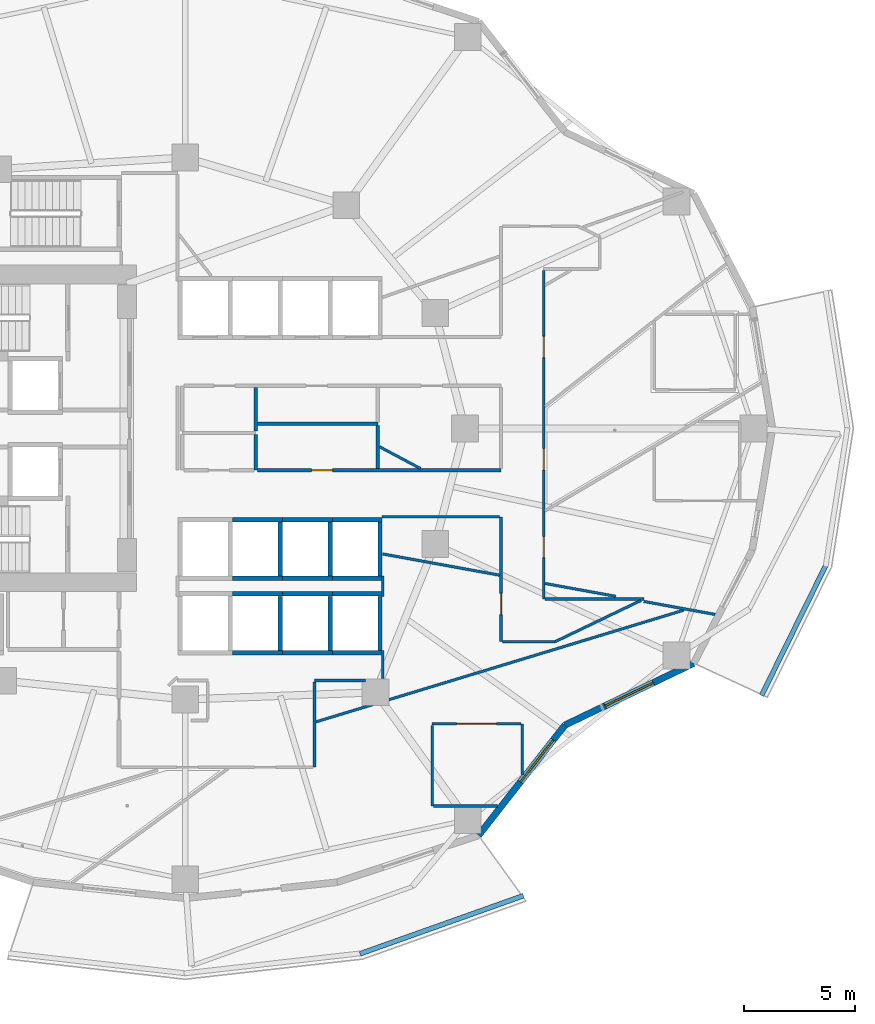
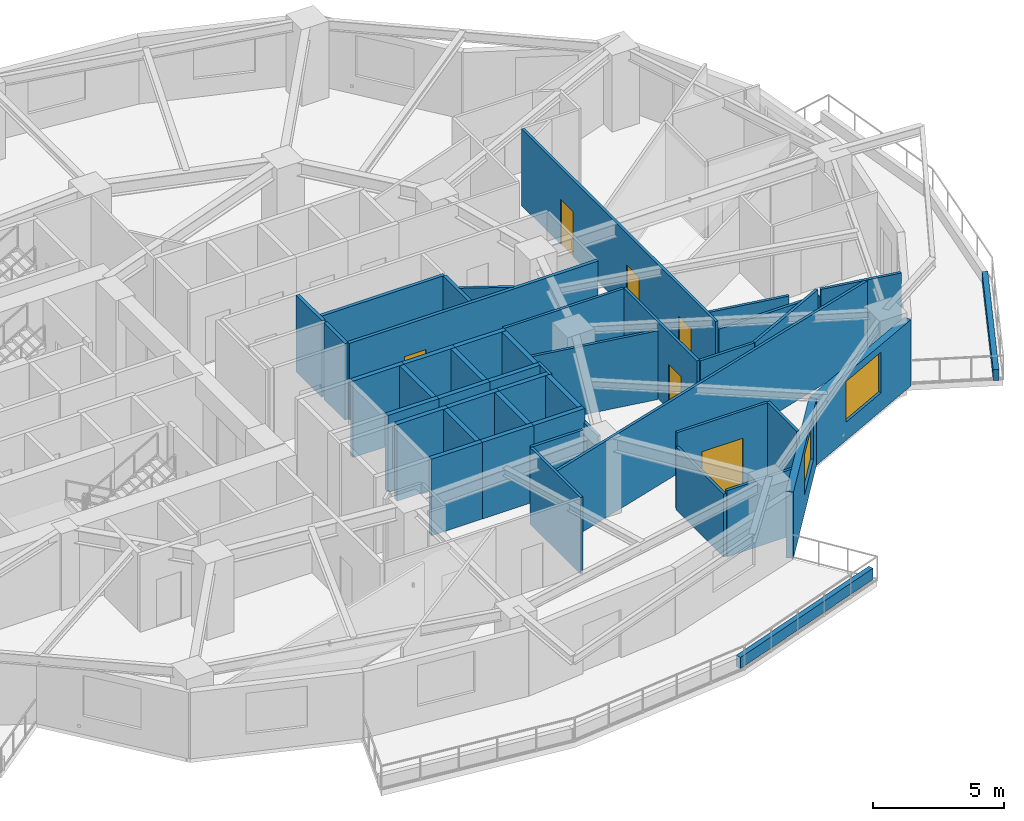
# One storey, part 5 of 16: 46 walls, 6 doors, 2 windows, 8 openings.
"""IFC4 building model written with IfcOpenShell, lengths in metres."""

from ifc_helpers import new_model, si_unit, direction, frame, frame_2d, origin, place, context, subcontext, project, spatial, rectangle, extrude, material, layer, layer_set, type_object, element, fill, save


model = new_model("IFC4")

# Units and contexts
model_context = context("Model", 3, precision=1e-05, world=origin(), true_north=direction((0.0, 1.0)))
body_context = subcontext(model_context, "Body", "Model", "MODEL_VIEW")
ifc_project = project(units=[si_unit("LENGTHUNIT", "METRE"), si_unit("AREAUNIT", "SQUARE_METRE"), si_unit("VOLUMEUNIT", "CUBIC_METRE"), si_unit("PLANEANGLEUNIT", "RADIAN"), si_unit("MASSUNIT", "GRAM", prefix="KILO")], contexts=[model_context])

# Site, building, storey
site_placement = place(None, origin())
site = spatial("IfcSite", under=ifc_project, at=site_placement, CompositionType="ELEMENT")
building_placement = place(site_placement, origin())
building = spatial("IfcBuilding", under=site, at=building_placement, Name="Kolvaren Gate Tower and Convention Centre", CompositionType="ELEMENT")
storey_placement = place(building_placement, frame((0.0, 0.0, 65.0)))
storey = spatial("IfcBuildingStorey", under=building, at=storey_placement, Name="L15", CompositionType="ELEMENT", Elevation=65.0)

# Walls
ifc_material_1 = material(Name="Fire-Rated Acoustic Gypsum Stud Partition", Category="gypsum")
ifc_layer_1 = layer(ifc_material_1, 0.1201171875)
ifc_layer_set_1 = layer_set([ifc_layer_1], Name="Fire-Rated Acoustic Gypsum Stud Partition")
wall_type_1 = type_object("IfcWallType", Name="ARCH-WL-PART-120", PredefinedType="PARTITIONING", material=ifc_layer_set_1)
wall_1_placement = place(storey_placement, frame((35.949951171875, 15.64990234375, 0.0), z_axis=(0.0, 0.0, 1.0), x_axis=(1.0, 0.0, 0.0)))
element("IfcWall", 1, at=wall_1_placement, inside=storey, type_object=wall_type_1, Name="Interior Partition WL-L15-INT-023", PredefinedType="PARTITIONING", context=body_context, shape_type="SweptSolid", body=[
    extrude(rectangle(XDim=2.291015625, YDim=0.1201171875, at=frame_2d((1.1455078125, 0.0))), origin(), (0.0, 0.0, 1.0), 3.570068359375),
])
wall_2_placement = place(storey_placement, frame((35.949951171875, 11.75, 0.0), z_axis=(0.0, 0.0, 1.0), x_axis=(0.0, 1.0, 0.0)))
element("IfcWall", 2, at=wall_2_placement, inside=storey, type_object=wall_type_1, Name="Interior Partition WL-L15-INT-024", PredefinedType="PARTITIONING", context=body_context, shape_type="SweptSolid", body=[
    extrude(rectangle(XDim=3.837890625, YDim=0.1201171875, at=frame_2d((1.9189453125, 0.0))), origin(), (0.0, 0.0, 1.0), 3.570068359375),
])

# Wall, opening, door
wall_3_placement = place(storey_placement, frame((44.35009765625, 17.39990234375, 0.0), z_axis=(0.0, 0.0, 1.0), x_axis=(0.0, 1.0, 0.0)))
wall_3 = element("IfcWall", 3, at=wall_3_placement, inside=storey, type_object=wall_type_1, Name="Interior Partition WL-L15-INT-032", PredefinedType="PARTITIONING", context=body_context, shape_type="SweptSolid", body=[
    extrude(rectangle(XDim=5.6201171875, YDim=0.1201171875, at=frame_2d((2.81005859375, 0.0))), origin(), (0.0, 0.0, 1.0), 3.570068359375),
])
opening_1_placement = place(wall_3_placement, frame((1.222900390625, 0.0, 0.0)))
opening_1 = element("IfcOpeningElement", 4, at=opening_1_placement, cuts=wall_3, Name="Opening DR-01", PredefinedType="OPENING", context=body_context, shape_type="SweptSolid", body=[
    extrude(rectangle(XDim=0.949951171875, YDim=2.10009765625, at=frame_2d((0.47509765625, 1.050048828125))), frame((0.0, 0.070068359375, 0.0), z_axis=(0.0, -1.0, 0.0), x_axis=(1.0, 0.0, 0.0)), (0.0, 0.0, 1.0), 0.14013671875),
])
ifc_material_2 = material(Name="Painted Architectural Steelwork ASTM A500 Grade C 345 MPa", Category="steel")
door_type_1 = type_object("IfcDoorType", Name="ARCH-DR-RISER-950", OperationType="SINGLE_SWING_RIGHT", PredefinedType="DOOR", material=ifc_material_2)
door_1_placement = place(opening_1_placement, origin())
door_1 = element("IfcDoor", 5, at=door_1_placement, inside=storey, type_object=door_type_1, Name="Associate Cellular Office Door", OperationType="SINGLE_SWING_LEFT", OverallHeight=2.10009765625, OverallWidth=0.949951171875, PredefinedType="DOOR", context=body_context, shape_type="SweptSolid", body=[
    extrude(rectangle(XDim=0.949951171875, YDim=2.10009765625, at=frame_2d((0.47509765625, 1.050048828125))), frame((0.0, 0.02490234375, 0.0), z_axis=(0.0, -1.0, 0.0), x_axis=(1.0, 0.0, 0.0)), (0.0, 0.0, 1.0), 0.050048828125),
])
fill(opening_1, door_1)

# Wall, openings, doors
wall_4_placement = place(storey_placement, frame((46.27001953125, 19.320068359375, 0.0), z_axis=(0.0, 0.0, 1.0), x_axis=(0.0, 1.0, 0.0)))
wall_4 = element("IfcWall", 6, at=wall_4_placement, inside=storey, type_object=wall_type_1, Name="Interior Partition WL-L15-INT-039", PredefinedType="PARTITIONING", context=body_context, shape_type="SweptSolid", body=[
    extrude(rectangle(XDim=14.7978515625, YDim=0.1201171875, at=frame_2d((7.39892578125, 0.0))), origin(), (0.0, 0.0, 1.0), 3.570068359375),
])
opening_2_placement = place(wall_4_placement, frame((1.864990234375, 0.0, 0.0)))
opening_2 = element("IfcOpeningElement", 7, at=opening_2_placement, cuts=wall_4, Name="Opening DR-01", PredefinedType="OPENING", context=body_context, shape_type="SweptSolid", body=[
    extrude(rectangle(XDim=0.949951171875, YDim=2.10009765625, at=frame_2d((0.47509765625, 1.050048828125))), frame((0.0, 0.070068359375, 0.0), z_axis=(0.0, -1.0, 0.0), x_axis=(1.0, 0.0, 0.0)), (0.0, 0.0, 1.0), 0.14013671875),
])
opening_3_placement = place(wall_4_placement, frame((5.817626953125, 0.0, 0.0)))
opening_3 = element("IfcOpeningElement", 8, at=opening_3_placement, cuts=wall_4, Name="Opening DR-01", PredefinedType="OPENING", context=body_context, shape_type="SweptSolid", body=[
    extrude(rectangle(XDim=0.949951171875, YDim=2.10009765625, at=frame_2d((0.47509765625, 1.050048828125))), frame((0.0, 0.070068359375, 0.0), z_axis=(0.0, -1.0, 0.0), x_axis=(1.0, 0.0, 0.0)), (0.0, 0.0, 1.0), 0.14013671875),
])
opening_4_placement = place(wall_4_placement, frame((10.871337890625, 0.0, 0.0)))
opening_4 = element("IfcOpeningElement", 9, at=opening_4_placement, cuts=wall_4, Name="Opening DR-01", PredefinedType="OPENING", context=body_context, shape_type="SweptSolid", body=[
    extrude(rectangle(XDim=0.949951171875, YDim=2.10009765625, at=frame_2d((0.47509765625, 1.050048828125))), frame((0.0, 0.070068359375, 0.0), z_axis=(0.0, -1.0, 0.0), x_axis=(1.0, 0.0, 0.0)), (0.0, 0.0, 1.0), 0.14013671875),
])
door_2_placement = place(opening_2_placement, origin())
door_2 = element("IfcDoor", 10, at=door_2_placement, inside=storey, type_object=door_type_1, Name="Associate Cellular Office Door", OperationType="SINGLE_SWING_RIGHT", OverallHeight=2.10009765625, OverallWidth=0.949951171875, PredefinedType="DOOR", context=body_context, shape_type="SweptSolid", body=[
    extrude(rectangle(XDim=0.949951171875, YDim=2.10009765625, at=frame_2d((0.47509765625, 1.050048828125))), frame((0.0, 0.02490234375, 0.0), z_axis=(0.0, -1.0, 0.0), x_axis=(1.0, 0.0, 0.0)), (0.0, 0.0, 1.0), 0.050048828125),
])
fill(opening_2, door_2)
door_3_placement = place(opening_3_placement, origin())
door_3 = element("IfcDoor", 11, at=door_3_placement, inside=storey, type_object=door_type_1, Name="Legal Chambers Cellular Office Door", OperationType="SINGLE_SWING_RIGHT", OverallHeight=2.10009765625, OverallWidth=0.949951171875, PredefinedType="DOOR", context=body_context, shape_type="SweptSolid", body=[
    extrude(rectangle(XDim=0.949951171875, YDim=2.10009765625, at=frame_2d((0.47509765625, 1.050048828125))), frame((0.0, 0.02490234375, 0.0), z_axis=(0.0, -1.0, 0.0), x_axis=(1.0, 0.0, 0.0)), (0.0, 0.0, 1.0), 0.050048828125),
])
fill(opening_3, door_3)
door_4_placement = place(opening_4_placement, origin())
door_4 = element("IfcDoor", 12, at=door_4_placement, inside=storey, type_object=door_type_1, Name="Deposition Interview Room Door", OperationType="SINGLE_SWING_LEFT", OverallHeight=2.10009765625, OverallWidth=0.949951171875, PredefinedType="DOOR", context=body_context, shape_type="SweptSolid", body=[
    extrude(rectangle(XDim=0.949951171875, YDim=2.10009765625, at=frame_2d((0.47509765625, 1.050048828125))), frame((0.0, 0.02490234375, 0.0), z_axis=(0.0, -1.0, 0.0), x_axis=(1.0, 0.0, 0.0)), (0.0, 0.0, 1.0), 0.050048828125),
])
fill(opening_4, door_4)

# Walls
wall_5_placement = place(storey_placement, frame((46.33203125, 19.320068359375, 0.0), z_axis=(0.0, 0.0, 1.0), x_axis=(1.0, 0.0, 0.0)))
element("IfcWall", 13, at=wall_5_placement, inside=storey, type_object=wall_type_1, Name="Interior Partition WL-L15-INT-040", PredefinedType="PARTITIONING", context=body_context, shape_type="SweptSolid", body=[
    extrude(rectangle(XDim=4.447021484375, YDim=0.1201171875, at=frame_2d((2.2236328125, 0.0))), origin(), (0.0, 0.0, 1.0), 3.205078125),
])
wall_6_placement = place(storey_placement, frame((46.782958984375, 17.39990234375, 0.0), z_axis=(0.0, 0.0, 1.0), x_axis=(0.901339159108, 0.433113980679, 0.0)))
element("IfcWall", 14, at=wall_6_placement, inside=storey, type_object=wall_type_1, Name="Interior Partition WL-L15-INT-041", PredefinedType="PARTITIONING", context=body_context, shape_type="SweptSolid", body=[
    extrude(rectangle(XDim=4.290283203125, YDim=0.1201171875, at=frame_2d((2.14501953125, 0.0))), origin(), (0.0, 0.0, 1.0), 3.570068359375),
])
wall_7_placement = place(storey_placement, frame((44.412109375, 17.39990234375, 0.0), z_axis=(0.0, 0.0, 1.0), x_axis=(1.0, 0.0, 0.0)))
element("IfcWall", 15, at=wall_7_placement, inside=storey, type_object=wall_type_1, Name="Interior Partition WL-L15-INT-042", PredefinedType="PARTITIONING", context=body_context, shape_type="SweptSolid", body=[
    extrude(rectangle(XDim=2.370849609375, YDim=0.1201171875, at=frame_2d((1.185546875, 0.0))), origin(), (0.0, 0.0, 1.0), 3.570068359375),
])
wall_8_placement = place(storey_placement, frame((39.0, 23.02001953125, 0.0), z_axis=(0.0, 0.0, 1.0), x_axis=(1.0, 0.0, 0.0)))
element("IfcWall", 16, at=wall_8_placement, inside=storey, type_object=wall_type_1, Name="Interior Partition WL-L15-INT-043", PredefinedType="PARTITIONING", context=body_context, shape_type="SweptSolid", body=[
    extrude(rectangle(XDim=5.2880859375, YDim=0.1201171875, at=frame_2d((2.64404296875, 0.0))), origin(), (0.0, 0.0, 1.0), 3.570068359375),
])
wall_9_placement = place(storey_placement, frame((39.02001953125, 15.741943359375, 0.0), z_axis=(0.0, 0.0, 1.0), x_axis=(0.0, 1.0, 0.0)))
element("IfcWall", 17, at=wall_9_placement, inside=storey, type_object=wall_type_1, Name="Interior Partition WL-L15-INT-044", PredefinedType="PARTITIONING", context=body_context, shape_type="SweptSolid", body=[
    extrude(rectangle(XDim=1.26806640625, YDim=0.1201171875, at=frame_2d((0.634033203125, 0.0))), origin(), (0.0, 0.0, 1.0), 2.93408203125),
])
wall_10_placement = place(storey_placement, frame((39.02001953125, 19.43994140625, 0.0), z_axis=(0.0, 0.0, 1.0), x_axis=(0.0, 1.0, 0.0)))
element("IfcWall", 18, at=wall_10_placement, inside=storey, type_object=wall_type_1, Name="Interior Partition WL-L15-INT-044 (2)", PredefinedType="PARTITIONING", context=body_context, shape_type="SweptSolid", body=[
    extrude(rectangle(XDim=0.920166015625, YDim=0.1201171875, at=frame_2d((0.4599609375, 0.0))), origin(), (0.0, 0.0, 1.0), 3.570068359375),
])
wall_11_placement = place(storey_placement, frame((39.02001953125, 21.351318359375, 0.0), z_axis=(0.0, 0.0, 1.0), x_axis=(0.983848017156, -0.179005807552, 0.0)))
element("IfcWall", 19, at=wall_11_placement, inside=storey, type_object=wall_type_1, Name="Interior Partition WL-L15-INT-049", PredefinedType="PARTITIONING", context=body_context, shape_type="SweptSolid", body=[
    extrude(rectangle(XDim=5.3544921875, YDim=0.1201171875, at=frame_2d((2.67724609375, 0.0))), origin(), (0.0, 0.0, 1.0), 3.205078125),
])
wall_12_placement = place(storey_placement, frame((46.33203125, 20.02099609375, 0.0), z_axis=(0.0, 0.0, 1.0), x_axis=(0.983836071263, -0.17907145189, 0.0)))
element("IfcWall", 20, at=wall_12_placement, inside=storey, type_object=wall_type_1, Name="Interior Partition WL-L15-INT-050", PredefinedType="PARTITIONING", context=body_context, shape_type="SweptSolid", body=[
    extrude(rectangle(XDim=3.23388671875, YDim=0.1201171875, at=frame_2d((1.616943359375, 0.0))), origin(), (0.0, 0.0, 1.0), 3.570068359375),
])
wall_13_placement = place(storey_placement, frame((50.779052734375, 19.2119140625, 0.0), z_axis=(0.0, 0.0, 1.0), x_axis=(0.983831584621, -0.179096100189, 0.0)))
element("IfcWall", 21, at=wall_13_placement, inside=storey, type_object=wall_type_1, Name="Interior Partition WL-L15-INT-051", PredefinedType="PARTITIONING", context=body_context, shape_type="SweptSolid", body=[
    extrude(rectangle(XDim=3.263427734375, YDim=0.1201171875, at=frame_2d((1.6318359375, 0.0))), origin(), (0.0, 0.0, 1.0), 3.570068359375),
])
wall_14_placement = place(storey_placement, frame((36.011962890625, 13.78955078125, 0.0), z_axis=(0.0, 0.0, 1.0), x_axis=(0.95683920317, 0.290617857809, 0.0)))
element("IfcWall", 22, at=wall_14_placement, inside=storey, type_object=wall_type_1, Name="Interior Partition WL-L15-INT-053", PredefinedType="PARTITIONING", context=body_context, shape_type="SweptSolid", body=[
    extrude(rectangle(XDim=17.31396484375, YDim=0.1201171875, at=frame_2d((8.656982421875, 0.0))), origin(), (0.0, 0.0, 1.0), 3.570068359375),
])
wall_15_placement = place(storey_placement, frame((45.300048828125, 11.428955078125, 0.0), z_axis=(0.0, 0.0, 1.0), x_axis=(0.0, 1.0, 0.0)))
element("IfcWall", 23, at=wall_15_placement, inside=storey, type_object=wall_type_1, Name="Interior Partition WL-L15-INT-055", PredefinedType="PARTITIONING", context=body_context, shape_type="SweptSolid", body=[
    extrude(rectangle(XDim=2.27099609375, YDim=0.1201171875, at=frame_2d((1.135498046875, 0.0))), origin(), (0.0, 0.0, 1.0), 3.570068359375),
])

# Wall, opening, door
wall_16_placement = place(storey_placement, frame((41.25, 13.699951171875, 0.0), z_axis=(0.0, 0.0, 1.0), x_axis=(1.0, 0.0, 0.0)))
wall_16 = element("IfcWall", 24, at=wall_16_placement, inside=storey, type_object=wall_type_1, Name="Interior Partition WL-L15-INT-056", PredefinedType="PARTITIONING", context=body_context, shape_type="SweptSolid", body=[
    extrude(rectangle(XDim=3.988037109375, YDim=0.1201171875, at=frame_2d((1.994140625, 0.0))), origin(), (0.0, 0.0, 1.0), 3.570068359375),
])
opening_5_placement = place(wall_16_placement, frame((1.093994140625, 0.0, 0.0)))
opening_5 = element("IfcOpeningElement", 25, at=opening_5_placement, cuts=wall_16, Name="Opening DH-01", PredefinedType="OPENING", context=body_context, shape_type="SweptSolid", body=[
    extrude(rectangle(XDim=1.800048828125, YDim=2.300048828125, at=frame_2d((0.89990234375, 1.14990234375))), frame((0.0, 0.070068359375, 0.0), z_axis=(0.0, -1.0, 0.0), x_axis=(1.0, 0.0, 0.0)), (0.0, 0.0, 1.0), 0.14013671875),
])
ifc_material_3 = material(Name="FSC Andean Oak Engineered Veneer Door Leaf", Category="wood")
door_type_2 = type_object("IfcDoorType", Name="ARCH-DR-HALL-1800", OperationType="DOUBLE_DOOR_SINGLE_SWING", PredefinedType="DOOR", material=ifc_material_3)
door_5_placement = place(opening_5_placement, origin())
door_5 = element("IfcDoor", 26, at=door_5_placement, inside=storey, type_object=door_type_2, Name="Consultation Meeting Room Door", OperationType="DOUBLE_DOOR_SINGLE_SWING", OverallHeight=2.300048828125, OverallWidth=1.800048828125, PredefinedType="DOOR", context=body_context, shape_type="SweptSolid", body=[
    extrude(rectangle(XDim=1.800048828125, YDim=2.300048828125, at=frame_2d((0.89990234375, 1.14990234375))), frame((0.0, 0.02490234375, 0.0), z_axis=(0.0, -1.0, 0.0), x_axis=(1.0, 0.0, 0.0)), (0.0, 0.0, 1.0), 0.050048828125),
])
fill(opening_5, door_5)

# Walls
wall_17_placement = place(storey_placement, frame((41.25, 10.0, 0.0), z_axis=(0.0, 0.0, 1.0), x_axis=(0.0, 1.0, 0.0)))
element("IfcWall", 27, at=wall_17_placement, inside=storey, type_object=wall_type_1, Name="Interior Partition WL-L15-INT-057", PredefinedType="PARTITIONING", context=body_context, shape_type="SweptSolid", body=[
    extrude(rectangle(XDim=3.637939453125, YDim=0.1201171875, at=frame_2d((1.81884765625, 0.0))), origin(), (0.0, 0.0, 1.0), 2.93408203125),
])
wall_18_placement = place(storey_placement, frame((41.31201171875, 10.0, 0.0), z_axis=(0.0, 0.0, 1.0), x_axis=(1.0, 0.0, 0.0)))
element("IfcWall", 28, at=wall_18_placement, inside=storey, type_object=wall_type_1, Name="Interior Partition WL-L15-INT-058", PredefinedType="PARTITIONING", context=body_context, shape_type="SweptSolid", body=[
    extrude(rectangle(XDim=2.869384765625, YDim=0.1201171875, at=frame_2d((1.4345703125, 0.0))), origin(), (0.0, 0.0, 1.0), 3.093017578125),
])
wall_19_placement = place(storey_placement, frame((38.876953125, 26.177001953125, 0.0), z_axis=(0.0, 0.0, 1.0), x_axis=(0.882864132349, -0.469628495527, 0.0)))
element("IfcWall", 29, at=wall_19_placement, inside=storey, type_object=wall_type_1, Name="Interior Partition WL-L15-INT-065", PredefinedType="PARTITIONING", context=body_context, shape_type="SweptSolid", body=[
    extrude(rectangle(XDim=2.086669921875, YDim=0.1201171875, at=frame_2d((1.04345703125, 0.0))), origin(), (0.0, 0.0, 1.0), 3.570068359375),
])
ifc_material_4 = material(Name="Piedmont Cream Honed Limestone Cladding", Category="masonry")
ifc_layer_2 = layer(ifc_material_4, 0.219970703125)
ifc_layer_set_2 = layer_set([ifc_layer_2], Name="Piedmont Cream Honed Limestone Cladding")
wall_type_2 = type_object("IfcWallType", Name="ARCH-WL-PLANTER-220", PredefinedType="PARAPET", material=ifc_layer_set_2)
wall_20_placement = place(storey_placement, frame((38.001220703125, 3.348876953125, 0.0), z_axis=(0.0, 0.0, 1.0), x_axis=(0.942203722205, 0.335040513764, 0.0)))
element("IfcWall", 30, at=wall_20_placement, inside=storey, type_object=wall_type_2, Name="Vertical-Forest Balcony Stone Planter Kerb PK-L15-3.3", PredefinedType="PARAPET", context=body_context, shape_type="SweptSolid", body=[
    extrude(rectangle(XDim=7.80712890625, YDim=0.219970703125, at=frame_2d((3.903564453125, 0.0))), origin(), (0.0, 0.0, 1.0), 0.52001953125),
])
wall_21_placement = place(storey_placement, frame((56.077392578125, 14.978515625, 0.0), z_axis=(0.0, 0.0, 1.0), x_axis=(0.442686636348, 0.89667638644, 0.0)))
element("IfcWall", 31, at=wall_21_placement, inside=storey, type_object=wall_type_2, Name="Vertical-Forest Balcony Stone Planter Kerb PK-L15-4.1", PredefinedType="PARAPET", context=body_context, shape_type="SweptSolid", body=[
    extrude(rectangle(XDim=6.544677734375, YDim=0.219970703125, at=frame_2d((3.2724609375, 0.0))), origin(), (0.0, 0.0, 1.0), 0.52001953125),
])
ifc_material_5 = material(Name="Autoclaved Aerated Masonry Blockwork Class 4 (4.0 MPa)", Category="masonry")
ifc_layer_3 = layer(ifc_material_5, 0.199951171875)
ifc_layer_set_3 = layer_set([ifc_layer_3], Name="Autoclaved Aerated Masonry Blockwork Class 4 (4.0 MPa)")
wall_type_3 = type_object("IfcWallType", Name="ARCH-WL-SHAFT-200", PredefinedType="SOLIDWALL", material=ifc_layer_set_3)
for number, where, z_axis, x_axis, name in (
    (32, (32.25, 19.550048828125, 0.0), (0.0, 0.0, 1.0), (1.0, 0.0, 0.0), "Elevator PL-06 L15 Fire Shaft Wall N"),
    (33, (32.25, 16.89990234375, 0.0), (0.0, 0.0, 1.0), (1.0, 0.0, 0.0), "Elevator PL-06 L15 Fire Shaft Wall S"),
):
    element("IfcWall", number, at=place(storey_placement, frame(where, z_axis=z_axis, x_axis=x_axis)), inside=storey, type_object=wall_type_3, Name=name, PredefinedType="SOLIDWALL", context=body_context, shape_type="SweptSolid", body=[
        extrude(rectangle(XDim=2.25, YDim=0.199951171875, at=frame_2d((1.125, 0.0))), origin(), (0.0, 0.0, 1.0), 3.570068359375),
    ])
wall_22_placement = place(storey_placement, frame((34.39990234375, 17.010009765625, 0.0), z_axis=(0.0, 0.0, 1.0), x_axis=(0.0, 1.0, 0.0)))
element("IfcWall", 34, at=wall_22_placement, inside=storey, type_object=wall_type_3, Name="Elevator PL-06 L15 Fire Shaft Wall E", PredefinedType="SOLIDWALL", context=body_context, shape_type="SweptSolid", body=[
    extrude(rectangle(XDim=2.429931640625, YDim=0.199951171875, at=frame_2d((1.21484375, 0.0))), origin(), (0.0, 0.0, 1.0), 3.570068359375),
])
for number, where, z_axis, x_axis, name in (
    (35, (34.5, 19.550048828125, 0.0), (0.0, 0.0, 1.0), (1.0, 0.0, 0.0), "Elevator PL-07 L15 Fire Shaft Wall N"),
    (36, (34.5, 16.89990234375, 0.0), (0.0, 0.0, 1.0), (1.0, 0.0, 0.0), "Elevator PL-07 L15 Fire Shaft Wall S"),
):
    element("IfcWall", number, at=place(storey_placement, frame(where, z_axis=z_axis, x_axis=x_axis)), inside=storey, type_object=wall_type_3, Name=name, PredefinedType="SOLIDWALL", context=body_context, shape_type="SweptSolid", body=[
        extrude(rectangle(XDim=2.25, YDim=0.199951171875, at=frame_2d((1.125, 0.0))), origin(), (0.0, 0.0, 1.0), 3.570068359375),
    ])
wall_23_placement = place(storey_placement, frame((36.64990234375, 17.010009765625, 0.0), z_axis=(0.0, 0.0, 1.0), x_axis=(0.0, 1.0, 0.0)))
element("IfcWall", 37, at=wall_23_placement, inside=storey, type_object=wall_type_3, Name="Elevator PL-07 L15 Fire Shaft Wall E", PredefinedType="SOLIDWALL", context=body_context, shape_type="SweptSolid", body=[
    extrude(rectangle(XDim=2.429931640625, YDim=0.199951171875, at=frame_2d((1.21484375, 0.0))), origin(), (0.0, 0.0, 1.0), 3.570068359375),
])
for number, where, z_axis, x_axis, name in (
    (38, (36.75, 19.550048828125, 0.0), (0.0, 0.0, 1.0), (1.0, 0.0, 0.0), "Elevator PL-08 L15 Fire Shaft Wall N"),
    (39, (36.75, 16.89990234375, 0.0), (0.0, 0.0, 1.0), (1.0, 0.0, 0.0), "Elevator PL-08 L15 Fire Shaft Wall S"),
):
    element("IfcWall", number, at=place(storey_placement, frame(where, z_axis=z_axis, x_axis=x_axis)), inside=storey, type_object=wall_type_3, Name=name, PredefinedType="SOLIDWALL", context=body_context, shape_type="SweptSolid", body=[
        extrude(rectangle(XDim=2.25, YDim=0.199951171875, at=frame_2d((1.125, 0.0))), origin(), (0.0, 0.0, 1.0), 3.570068359375),
    ])
wall_24_placement = place(storey_placement, frame((38.89990234375, 17.010009765625, 0.0), z_axis=(0.0, 0.0, 1.0), x_axis=(0.0, 1.0, 0.0)))
element("IfcWall", 40, at=wall_24_placement, inside=storey, type_object=wall_type_3, Name="Elevator PL-08 L15 Fire Shaft Wall E", PredefinedType="SOLIDWALL", context=body_context, shape_type="SweptSolid", body=[
    extrude(rectangle(XDim=2.429931640625, YDim=0.199951171875, at=frame_2d((1.21484375, 0.0))), origin(), (0.0, 0.0, 1.0), 3.570068359375),
])
for number, where, z_axis, x_axis, name in (
    (41, (32.25, 22.89990234375, 0.0), (0.0, 0.0, 1.0), (1.0, 0.0, 0.0), "Elevator PL-10 L15 Fire Shaft Wall N"),
    (42, (32.25, 20.25, 0.0), (0.0, 0.0, 1.0), (1.0, 0.0, 0.0), "Elevator PL-10 L15 Fire Shaft Wall S"),
):
    element("IfcWall", number, at=place(storey_placement, frame(where, z_axis=z_axis, x_axis=x_axis)), inside=storey, type_object=wall_type_3, Name=name, PredefinedType="SOLIDWALL", context=body_context, shape_type="SweptSolid", body=[
        extrude(rectangle(XDim=2.25, YDim=0.199951171875, at=frame_2d((1.125, 0.0))), origin(), (0.0, 0.0, 1.0), 3.570068359375),
    ])
wall_25_placement = place(storey_placement, frame((34.39990234375, 20.360107421875, 0.0), z_axis=(0.0, 0.0, 1.0), x_axis=(0.0, 1.0, 0.0)))
element("IfcWall", 43, at=wall_25_placement, inside=storey, type_object=wall_type_3, Name="Elevator PL-10 L15 Fire Shaft Wall E", PredefinedType="SOLIDWALL", context=body_context, shape_type="SweptSolid", body=[
    extrude(rectangle(XDim=2.429931640625, YDim=0.199951171875, at=frame_2d((1.21484375, 0.0))), origin(), (0.0, 0.0, 1.0), 3.570068359375),
])
for number, where, z_axis, x_axis, name in (
    (44, (34.5, 22.89990234375, 0.0), (0.0, 0.0, 1.0), (1.0, 0.0, 0.0), "Elevator PL-11 L15 Fire Shaft Wall N"),
    (45, (34.5, 20.25, 0.0), (0.0, 0.0, 1.0), (1.0, 0.0, 0.0), "Elevator PL-11 L15 Fire Shaft Wall S"),
):
    element("IfcWall", number, at=place(storey_placement, frame(where, z_axis=z_axis, x_axis=x_axis)), inside=storey, type_object=wall_type_3, Name=name, PredefinedType="SOLIDWALL", context=body_context, shape_type="SweptSolid", body=[
        extrude(rectangle(XDim=2.25, YDim=0.199951171875, at=frame_2d((1.125, 0.0))), origin(), (0.0, 0.0, 1.0), 3.570068359375),
    ])
wall_26_placement = place(storey_placement, frame((36.64990234375, 20.360107421875, 0.0), z_axis=(0.0, 0.0, 1.0), x_axis=(0.0, 1.0, 0.0)))
element("IfcWall", 46, at=wall_26_placement, inside=storey, type_object=wall_type_3, Name="Elevator PL-11 L15 Fire Shaft Wall E", PredefinedType="SOLIDWALL", context=body_context, shape_type="SweptSolid", body=[
    extrude(rectangle(XDim=2.429931640625, YDim=0.199951171875, at=frame_2d((1.21484375, 0.0))), origin(), (0.0, 0.0, 1.0), 3.570068359375),
])
for number, where, z_axis, x_axis, name in (
    (47, (36.75, 22.89990234375, 0.0), (0.0, 0.0, 1.0), (1.0, 0.0, 0.0), "Elevator PL-12 L15 Fire Shaft Wall N"),
    (48, (36.75, 20.25, 0.0), (0.0, 0.0, 1.0), (1.0, 0.0, 0.0), "Elevator PL-12 L15 Fire Shaft Wall S"),
):
    element("IfcWall", number, at=place(storey_placement, frame(where, z_axis=z_axis, x_axis=x_axis)), inside=storey, type_object=wall_type_3, Name=name, PredefinedType="SOLIDWALL", context=body_context, shape_type="SweptSolid", body=[
        extrude(rectangle(XDim=2.25, YDim=0.199951171875, at=frame_2d((1.125, 0.0))), origin(), (0.0, 0.0, 1.0), 3.570068359375),
    ])
wall_27_placement = place(storey_placement, frame((38.89990234375, 20.360107421875, 0.0), z_axis=(0.0, 0.0, 1.0), x_axis=(0.0, 1.0, 0.0)))
element("IfcWall", 49, at=wall_27_placement, inside=storey, type_object=wall_type_3, Name="Elevator PL-12 L15 Fire Shaft Wall E", PredefinedType="SOLIDWALL", context=body_context, shape_type="SweptSolid", body=[
    extrude(rectangle(XDim=2.429931640625, YDim=0.199951171875, at=frame_2d((1.21484375, 0.0))), origin(), (0.0, 0.0, 1.0), 3.570068359375),
])

# Wall, opening, window
ifc_layer_4 = layer(ifc_material_4, 0.300048828125)
ifc_layer_set_4 = layer_set([ifc_layer_4], Name="Piedmont Cream Honed Limestone Cladding")
wall_type_4 = type_object("IfcWallType", Name="ARCH-WL-STONE-300", PredefinedType="SOLIDWALL", material=ifc_layer_set_4)
wall_28_placement = place(storey_placement, frame((43.34375, 8.68359375, 0.0), z_axis=(0.0, 0.0, 1.0), x_axis=(0.616434798832, 0.78740595552, 0.0)))
wall_28 = element("IfcWall", 50, at=wall_28_placement, inside=storey, type_object=wall_type_4, Name="Tower L15 Honed Stone Spandrel Wall EW-20", PredefinedType="SOLIDWALL", context=body_context, shape_type="SweptSolid", body=[
    extrude(rectangle(XDim=6.29443359375, YDim=0.300048828125, at=frame_2d((3.147216796875, 0.0))), origin(), (0.0, 0.0, 1.0), 3.093017578125),
])
opening_6_placement = place(wall_28_placement, frame((3.050048828125, 0.0, 0.85009765625)))
opening_6 = element("IfcOpeningElement", 51, at=opening_6_placement, cuts=wall_28, Name="Opening W-01", PredefinedType="OPENING", context=body_context, shape_type="SweptSolid", body=[
    extrude(rectangle(XDim=2.39990234375, YDim=1.89990234375, at=frame_2d((1.199951171875, 0.949951171875))), frame((0.0, 0.159912109375, 0.0), z_axis=(0.0, -1.0, 0.0), x_axis=(1.0, 0.0, 0.0)), (0.0, 0.0, 1.0), 0.320068359375),
])
ifc_material_6 = material(Name="Low-E Triple Insulated Glazing Unit 44 mm", Category="glass")
window_type = type_object("IfcWindowType", Name="ARCH-WN-OFF-2400", PartitioningType="SINGLE_PANEL", PredefinedType="WINDOW", material=ifc_material_6)
window_1_placement = place(opening_6_placement, origin())
window_1 = element("IfcWindow", 52, at=window_1_placement, inside=storey, type_object=window_type, Name="Tower L15 Punched Stone Facade Window W-20", OverallHeight=1.89990234375, OverallWidth=2.39990234375, PartitioningType="SINGLE_PANEL", PredefinedType="WINDOW", context=body_context, shape_type="SweptSolid", body=[
    extrude(rectangle(XDim=2.39990234375, YDim=1.89990234375, at=frame_2d((1.199951171875, 0.949951171875))), frame((0.0, 0.030029296875, 0.0), z_axis=(0.0, -1.0, 0.0), x_axis=(1.0, 0.0, 0.0)), (0.0, 0.0, 1.0), 0.06005859375),
])
fill(opening_6, window_1)

wall_29_placement = place(storey_placement, frame((47.223876953125, 13.639892578125, 0.0), z_axis=(0.0, 0.0, 1.0), x_axis=(0.901354747727, 0.433081538224, 0.0)))
wall_29 = element("IfcWall", 53, at=wall_29_placement, inside=storey, type_object=wall_type_4, Name="Tower L15 Honed Stone Spandrel Wall EW-21", PredefinedType="SOLIDWALL", context=body_context, shape_type="SweptSolid", body=[
    extrude(rectangle(XDim=6.430908203125, YDim=0.300048828125, at=frame_2d((3.21533203125, 0.0))), origin(), (0.0, 0.0, 1.0), 3.093017578125),
])
opening_7_placement = place(wall_29_placement, frame((2.014892578125, 0.0, 0.85009765625)))
opening_7 = element("IfcOpeningElement", 54, at=opening_7_placement, cuts=wall_29, Name="Opening W-01", PredefinedType="OPENING", context=body_context, shape_type="SweptSolid", body=[
    extrude(rectangle(XDim=2.39990234375, YDim=1.89990234375, at=frame_2d((1.199951171875, 0.949951171875))), frame((0.0, 0.159912109375, 0.0), z_axis=(0.0, -1.0, 0.0), x_axis=(1.0, 0.0, 0.0)), (0.0, 0.0, 1.0), 0.320068359375),
])
window_2_placement = place(opening_7_placement, origin())
window_2 = element("IfcWindow", 55, at=window_2_placement, inside=storey, type_object=window_type, Name="Tower L15 Punched Stone Facade Window W-21", OverallHeight=1.89990234375, OverallWidth=2.39990234375, PartitioningType="SINGLE_PANEL", PredefinedType="WINDOW", context=body_context, shape_type="SweptSolid", body=[
    extrude(rectangle(XDim=2.39990234375, YDim=1.89990234375, at=frame_2d((1.199951171875, 0.949951171875))), frame((0.0, 0.030029296875, 0.0), z_axis=(0.0, -1.0, 0.0), x_axis=(1.0, 0.0, 0.0)), (0.0, 0.0, 1.0), 0.06005859375),
])
fill(opening_7, window_2)

# Walls
ifc_material_7 = material(Name="Moisture-Resistant Cement-Board Acoustic Partition", Category="gypsum")
ifc_layer_5 = layer(ifc_material_7, 0.14990234375)
ifc_layer_set_5 = layer_set([ifc_layer_5], Name="Moisture-Resistant Cement-Board Acoustic Partition")
wall_type_5 = type_object("IfcWallType", Name="ARCH-WL-WET-150", PredefinedType="PARTITIONING", material=ifc_layer_set_5)
wall_30_placement = place(storey_placement, frame((33.300048828125, 25.1201171875, 0.0), z_axis=(0.0, 0.0, 1.0), x_axis=(0.0, 1.0, 0.0)))
element("IfcWall", 56, at=wall_30_placement, inside=storey, type_object=wall_type_5, Name="Interior Partition WL-L15-INT-018", PredefinedType="PARTITIONING", context=body_context, shape_type="SweptSolid", body=[
    extrude(rectangle(XDim=1.602783203125, YDim=0.14990234375, at=frame_2d((0.80126953125, 0.0))), origin(), (0.0, 0.0, 1.0), 3.570068359375),
])
wall_31_placement = place(storey_placement, frame((33.300048828125, 26.876953125, 0.0), z_axis=(0.0, 0.0, 1.0), x_axis=(0.0, 1.0, 0.0)))
element("IfcWall", 57, at=wall_31_placement, inside=storey, type_object=wall_type_5, Name="Interior Partition WL-L15-INT-018 (2)", PredefinedType="PARTITIONING", context=body_context, shape_type="SweptSolid", body=[
    extrude(rectangle(XDim=1.966064453125, YDim=0.14990234375, at=frame_2d((0.98291015625, 0.0))), origin(), (0.0, 0.0, 1.0), 3.570068359375),
])

# Wall, opening, door
wall_32_placement = place(storey_placement, frame((33.376953125, 25.1201171875, 0.0), z_axis=(0.0, 0.0, 1.0), x_axis=(1.0, 0.0, 0.0)))
wall_32 = element("IfcWall", 58, at=wall_32_placement, inside=storey, type_object=wall_type_5, Name="Interior Partition WL-L15-INT-019 (2)", PredefinedType="PARTITIONING", context=body_context, shape_type="SweptSolid", body=[
    extrude(rectangle(XDim=10.97314453125, YDim=0.14990234375, at=frame_2d((5.486572265625, 0.0))), origin(), (0.0, 0.0, 1.0), 3.570068359375),
])
opening_8_placement = place(wall_32_placement, frame((2.44140625, 0.0, 0.0)))
opening_8 = element("IfcOpeningElement", 59, at=opening_8_placement, cuts=wall_32, Name="Opening DR-01", PredefinedType="OPENING", context=body_context, shape_type="SweptSolid", body=[
    extrude(rectangle(XDim=0.949951171875, YDim=2.10009765625, at=frame_2d((0.47509765625, 1.050048828125))), frame((0.0, 0.0849609375, 0.0), z_axis=(0.0, -1.0, 0.0), x_axis=(1.0, 0.0, 0.0)), (0.0, 0.0, 1.0), 0.169921875),
])
door_6_placement = place(opening_8_placement, origin())
door_6 = element("IfcDoor", 60, at=door_6_placement, inside=storey, type_object=door_type_1, Name="Floor Coffee Pantry Door", OperationType="SINGLE_SWING_LEFT", OverallHeight=2.10009765625, OverallWidth=0.949951171875, PredefinedType="DOOR", context=body_context, shape_type="SweptSolid", body=[
    extrude(rectangle(XDim=0.949951171875, YDim=2.10009765625, at=frame_2d((0.47509765625, 1.050048828125))), frame((0.0, 0.02490234375, 0.0), z_axis=(0.0, -1.0, 0.0), x_axis=(1.0, 0.0, 0.0)), (0.0, 0.0, 1.0), 0.050048828125),
])
fill(opening_8, door_6)

# Walls
wall_33_placement = place(storey_placement, frame((33.376953125, 27.219970703125, 0.0), z_axis=(0.0, 0.0, 1.0), x_axis=(1.0, 0.0, 0.0)))
element("IfcWall", 61, at=wall_33_placement, inside=storey, type_object=wall_type_5, Name="Interior Partition WL-L15-INT-020", PredefinedType="PARTITIONING", context=body_context, shape_type="SweptSolid", body=[
    extrude(rectangle(XDim=5.423095703125, YDim=0.14990234375, at=frame_2d((2.71142578125, 0.0))), origin(), (0.0, 0.0, 1.0), 3.570068359375),
])
wall_34_placement = place(storey_placement, frame((38.800048828125, 25.197021484375, 0.0), z_axis=(0.0, 0.0, 1.0), x_axis=(0.0, 1.0, 0.0)))
element("IfcWall", 62, at=wall_34_placement, inside=storey, type_object=wall_type_5, Name="Interior Partition WL-L15-INT-021", PredefinedType="PARTITIONING", context=body_context, shape_type="SweptSolid", body=[
    extrude(rectangle(XDim=1.946044921875, YDim=0.14990234375, at=frame_2d((0.97314453125, 0.0))), origin(), (0.0, 0.0, 1.0), 3.570068359375),
])

save(model, "model.ifc")
